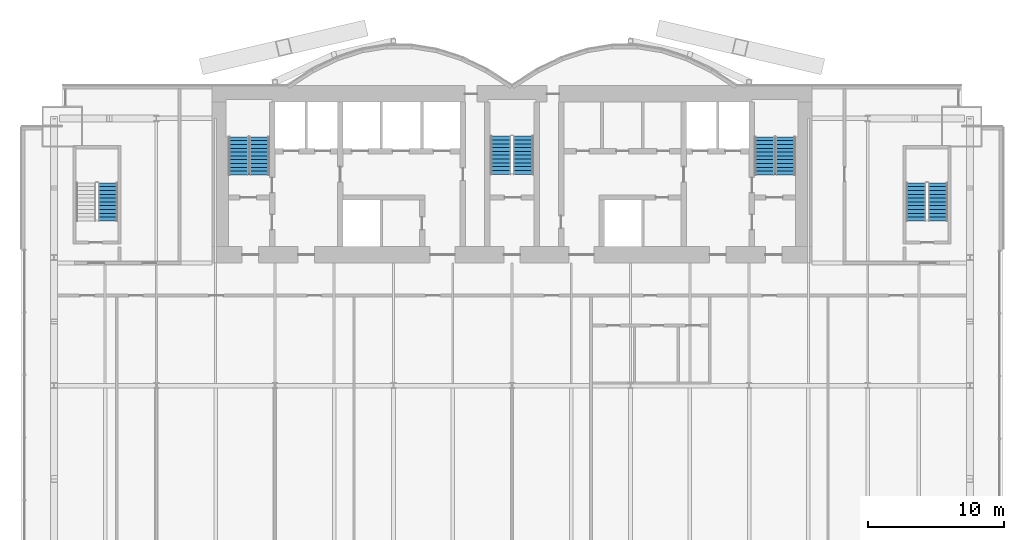
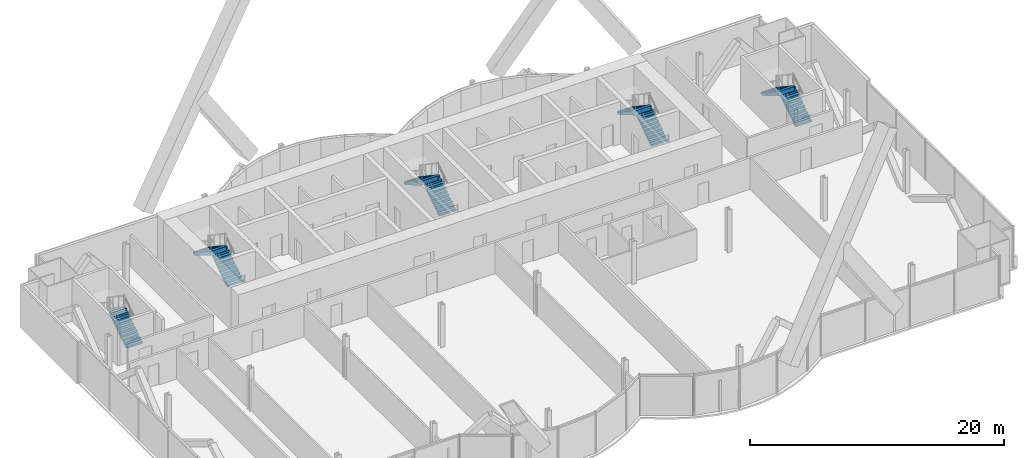
# One storey, part 19 of 22: 9 stair flights, 5 elements without a shape of their own.
"""IFC4 building model written with IfcOpenShell, lengths in metres."""

from ifc_helpers import new_model, si_unit, direction, frame, origin, place, context, subcontext, project, spatial, polyline, outline, extrude, material, type_object, element, aggregate, save


model = new_model("IFC4")

# Units and contexts
model_context = context("Model", 3, precision=1e-05, world=origin(), true_north=direction((0.0, 1.0)))
body_context = subcontext(model_context, "Body", "Model", "MODEL_VIEW")
ifc_project = project(units=[si_unit("LENGTHUNIT", "METRE"), si_unit("AREAUNIT", "SQUARE_METRE"), si_unit("VOLUMEUNIT", "CUBIC_METRE"), si_unit("PLANEANGLEUNIT", "RADIAN"), si_unit("MASSUNIT", "GRAM", prefix="KILO")], contexts=[model_context])

# Site, building, storey
site_placement = place(None, origin())
site = spatial("IfcSite", under=ifc_project, at=site_placement, CompositionType="ELEMENT")
building_placement = place(site_placement, origin())
building = spatial("IfcBuilding", under=site, at=building_placement, Name="Bicima Exchange Tower", CompositionType="ELEMENT")
storey_placement = place(building_placement, frame((0.0, 0.0, 102.199951171875)))
storey = spatial("IfcBuildingStorey", under=building, at=storey_placement, Name="L21", CompositionType="ELEMENT", Elevation=102.199951171875)

# Stair, stair flights
ifc_material = material(Name="Concrete C50/60", Category="concrete")
stair_type_1 = type_object("IfcStairType", Name="Exit stair", PredefinedType="HALF_TURN_STAIR", material=ifc_material)
stair_1_placement = place(storey_placement, origin())
stair_1 = element("IfcStair", 1, at=stair_1_placement, inside=storey, type_object=stair_type_1, Name="L21 West exit stair", PredefinedType="HALF_TURN_STAIR")
stair_flight_type_1 = type_object("IfcStairFlightType", Name="Stair flight RC", PredefinedType="STRAIGHT", material=ifc_material)
stair_flight_1_placement = place(storey_placement, frame((-18.52490234375, -6.550048828125, 0.0), z_axis=(0.0, 0.0, 1.0), x_axis=(0.0, 1.0, 0.0)))
stair_flight_1 = element("IfcStairFlight", 2, at=stair_flight_1_placement, type_object=stair_flight_type_1, Name="ST-W flight 1", NumberOfRisers=11, NumberOfTreads=10, PredefinedType="STRAIGHT", RiserHeight=0.186363636, TreadLength=0.28, context=body_context, shape_type="SweptSolid", body=[
    extrude(outline(polyline([(0.0, 0.0), (0.0, 0.186279296875), (0.280029296875, 0.186279296875), (0.280029296875, 0.372802734375), (0.56005859375, 0.372802734375), (0.56005859375, 0.55908203125), (0.840087890625, 0.55908203125), (0.840087890625, 0.745361328125), (1.1201171875, 0.745361328125), (1.1201171875, 0.931884765625), (1.39990234375, 0.931884765625), (1.39990234375, 1.1181640625), (1.679931640625, 1.1181640625), (1.679931640625, 1.304443359375), (1.9599609375, 1.304443359375), (1.9599609375, 1.490966796875), (2.239990234375, 1.490966796875), (2.239990234375, 1.67724609375), (2.52001953125, 1.67724609375), (2.52001953125, 1.863525390625), (2.800048828125, 1.863525390625), (2.800048828125, 2.050048828125), (2.800048828125, 1.68359375), (0.2705078125, 0.0), (0.0, 0.0)])), frame((0.0, 0.72509765625, 0.0), z_axis=(0.0, -1.0, 0.0), x_axis=(1.0, 0.0, 0.0)), (0.0, 0.0, 1.0), 1.449951171875),
])
stair_flight_2_placement = place(storey_placement, frame((-20.074951171875, -3.75, 2.050048828125), z_axis=(0.0, 0.0, 1.0), x_axis=(0.0, -1.0, 0.0)))
stair_flight_2 = element("IfcStairFlight", 3, at=stair_flight_2_placement, type_object=stair_flight_type_1, Name="ST-W flight 2", NumberOfRisers=11, NumberOfTreads=10, PredefinedType="STRAIGHT", RiserHeight=0.186363636, TreadLength=0.28, context=body_context, shape_type="SweptSolid", body=[
    extrude(outline(polyline([(0.0, 0.0), (0.0, 0.186279296875), (0.280029296875, 0.186279296875), (0.280029296875, 0.372802734375), (0.56005859375, 0.372802734375), (0.56005859375, 0.55908203125), (0.840087890625, 0.55908203125), (0.840087890625, 0.745361328125), (1.1201171875, 0.745361328125), (1.1201171875, 0.931884765625), (1.39990234375, 0.931884765625), (1.39990234375, 1.1181640625), (1.679931640625, 1.1181640625), (1.679931640625, 1.304443359375), (1.9599609375, 1.304443359375), (1.9599609375, 1.490966796875), (2.239990234375, 1.490966796875), (2.239990234375, 1.67724609375), (2.52001953125, 1.67724609375), (2.52001953125, 1.863525390625), (2.800048828125, 1.863525390625), (2.800048828125, 1.904052734375), (2.81494140625, 1.904052734375), (2.81494140625, 1.507080078125), (0.2705078125, 0.0), (0.0, 0.0)])), frame((0.0, 0.72509765625, 0.0), z_axis=(0.0, -1.0, 0.0), x_axis=(1.0, 0.0, 0.0)), (0.0, 0.0, 1.0), 1.449951171875),
])
aggregate(stair_1, [stair_flight_1, stair_flight_2])

stair_2_placement = place(storey_placement, origin())
stair_2 = element("IfcStair", 4, at=stair_2_placement, inside=storey, type_object=stair_type_1, Name="L21 East exit stair", PredefinedType="HALF_TURN_STAIR")
stair_flight_3_placement = place(storey_placement, frame((20.074951171875, -6.550048828125, 0.0), z_axis=(0.0, 0.0, 1.0), x_axis=(0.0, 1.0, 0.0)))
stair_flight_3 = element("IfcStairFlight", 5, at=stair_flight_3_placement, type_object=stair_flight_type_1, Name="ST-E flight 1", NumberOfRisers=11, NumberOfTreads=10, PredefinedType="STRAIGHT", RiserHeight=0.186363636, TreadLength=0.28, context=body_context, shape_type="SweptSolid", body=[
    extrude(outline(polyline([(0.0, 0.0), (0.0, 0.186279296875), (0.280029296875, 0.186279296875), (0.280029296875, 0.372802734375), (0.56005859375, 0.372802734375), (0.56005859375, 0.55908203125), (0.840087890625, 0.55908203125), (0.840087890625, 0.745361328125), (1.1201171875, 0.745361328125), (1.1201171875, 0.931884765625), (1.39990234375, 0.931884765625), (1.39990234375, 1.1181640625), (1.679931640625, 1.1181640625), (1.679931640625, 1.304443359375), (1.9599609375, 1.304443359375), (1.9599609375, 1.490966796875), (2.239990234375, 1.490966796875), (2.239990234375, 1.67724609375), (2.52001953125, 1.67724609375), (2.52001953125, 1.863525390625), (2.800048828125, 1.863525390625), (2.800048828125, 2.050048828125), (2.800048828125, 1.68359375), (0.2705078125, 0.0), (0.0, 0.0)])), frame((0.0, 0.72509765625, 0.0), z_axis=(0.0, -1.0, 0.0), x_axis=(1.0, 0.0, 0.0)), (0.0, 0.0, 1.0), 1.449951171875),
])
stair_flight_4_placement = place(storey_placement, frame((18.52490234375, -3.75, 2.050048828125), z_axis=(0.0, 0.0, 1.0), x_axis=(0.0, -1.0, 0.0)))
stair_flight_4 = element("IfcStairFlight", 6, at=stair_flight_4_placement, type_object=stair_flight_type_1, Name="ST-E flight 2", NumberOfRisers=11, NumberOfTreads=10, PredefinedType="STRAIGHT", RiserHeight=0.186363636, TreadLength=0.28, context=body_context, shape_type="SweptSolid", body=[
    extrude(outline(polyline([(0.0, 0.0), (0.0, 0.186279296875), (0.280029296875, 0.186279296875), (0.280029296875, 0.372802734375), (0.56005859375, 0.372802734375), (0.56005859375, 0.55908203125), (0.840087890625, 0.55908203125), (0.840087890625, 0.745361328125), (1.1201171875, 0.745361328125), (1.1201171875, 0.931884765625), (1.39990234375, 0.931884765625), (1.39990234375, 1.1181640625), (1.679931640625, 1.1181640625), (1.679931640625, 1.304443359375), (1.9599609375, 1.304443359375), (1.9599609375, 1.490966796875), (2.239990234375, 1.490966796875), (2.239990234375, 1.67724609375), (2.52001953125, 1.67724609375), (2.52001953125, 1.863525390625), (2.800048828125, 1.863525390625), (2.800048828125, 1.904052734375), (2.81494140625, 1.904052734375), (2.81494140625, 1.507080078125), (0.2705078125, 0.0), (0.0, 0.0)])), frame((0.0, 0.72509765625, 0.0), z_axis=(0.0, -1.0, 0.0), x_axis=(1.0, 0.0, 0.0)), (0.0, 0.0, 1.0), 1.449951171875),
])
aggregate(stair_2, [stair_flight_3, stair_flight_4])

# Stair, stair flight
stair_3_placement = place(storey_placement, origin())
stair_3 = element("IfcStair", 7, at=stair_3_placement, inside=storey, type_object=stair_type_1, Name="L21 West end exit stair", PredefinedType="HALF_TURN_STAIR")
stair_flight_5_placement = place(storey_placement, frame((-29.64990234375, -9.925048828125, 0.0), z_axis=(0.0, 0.0, 1.0), x_axis=(0.0, 1.0, 0.0)))
stair_flight_5 = element("IfcStairFlight", 8, at=stair_flight_5_placement, type_object=stair_flight_type_1, Name="ST-WW flight 1", NumberOfRisers=11, NumberOfTreads=10, PredefinedType="STRAIGHT", RiserHeight=0.186363636, TreadLength=0.28, context=body_context, shape_type="SweptSolid", body=[
    extrude(outline(polyline([(0.0, 0.0), (0.0, 0.186279296875), (0.280029296875, 0.186279296875), (0.280029296875, 0.372802734375), (0.56005859375, 0.372802734375), (0.56005859375, 0.55908203125), (0.840087890625, 0.55908203125), (0.840087890625, 0.745361328125), (1.1201171875, 0.745361328125), (1.1201171875, 0.931884765625), (1.39990234375, 0.931884765625), (1.39990234375, 1.1181640625), (1.679931640625, 1.1181640625), (1.679931640625, 1.304443359375), (1.9599609375, 1.304443359375), (1.9599609375, 1.490966796875), (2.239990234375, 1.490966796875), (2.239990234375, 1.67724609375), (2.52001953125, 1.67724609375), (2.52001953125, 1.863525390625), (2.800048828125, 1.863525390625), (2.800048828125, 2.050048828125), (2.800048828125, 1.68359375), (0.2705078125, 0.0), (0.0, 0.0)])), frame((0.0, 0.72509765625, 0.0), z_axis=(0.0, -1.0, 0.0), x_axis=(1.0, 0.0, 0.0)), (0.0, 0.0, 1.0), 1.449951171875),
])
aggregate(stair_3, [stair_flight_5])

# Stair, stair flights
stair_4_placement = place(storey_placement, origin())
stair_4 = element("IfcStair", 9, at=stair_4_placement, inside=storey, type_object=stair_type_1, Name="L21 East end exit stair", PredefinedType="HALF_TURN_STAIR")
stair_flight_6_placement = place(storey_placement, frame((31.25, -9.925048828125, 0.0), z_axis=(0.0, 0.0, 1.0), x_axis=(0.0, 1.0, 0.0)))
stair_flight_6 = element("IfcStairFlight", 10, at=stair_flight_6_placement, type_object=stair_flight_type_1, Name="ST-EE flight 1", NumberOfRisers=11, NumberOfTreads=10, PredefinedType="STRAIGHT", RiserHeight=0.186363636, TreadLength=0.28, context=body_context, shape_type="SweptSolid", body=[
    extrude(outline(polyline([(0.0, 0.0), (0.0, 0.186279296875), (0.280029296875, 0.186279296875), (0.280029296875, 0.372802734375), (0.56005859375, 0.372802734375), (0.56005859375, 0.55908203125), (0.840087890625, 0.55908203125), (0.840087890625, 0.745361328125), (1.1201171875, 0.745361328125), (1.1201171875, 0.931884765625), (1.39990234375, 0.931884765625), (1.39990234375, 1.1181640625), (1.679931640625, 1.1181640625), (1.679931640625, 1.304443359375), (1.9599609375, 1.304443359375), (1.9599609375, 1.490966796875), (2.239990234375, 1.490966796875), (2.239990234375, 1.67724609375), (2.52001953125, 1.67724609375), (2.52001953125, 1.863525390625), (2.800048828125, 1.863525390625), (2.800048828125, 2.050048828125), (2.800048828125, 1.68359375), (0.2705078125, 0.0), (0.0, 0.0)])), frame((0.0, 0.72509765625, 0.0), z_axis=(0.0, -1.0, 0.0), x_axis=(1.0, 0.0, 0.0)), (0.0, 0.0, 1.0), 1.449951171875),
])
stair_flight_7_placement = place(storey_placement, frame((29.64990234375, -7.125, 2.050048828125), z_axis=(0.0, 0.0, 1.0), x_axis=(0.0, -1.0, 0.0)))
stair_flight_7 = element("IfcStairFlight", 11, at=stair_flight_7_placement, type_object=stair_flight_type_1, Name="ST-EE flight 2", NumberOfRisers=11, NumberOfTreads=10, PredefinedType="STRAIGHT", RiserHeight=0.186363636, TreadLength=0.28, context=body_context, shape_type="SweptSolid", body=[
    extrude(outline(polyline([(0.0, 0.0), (0.0, 0.186279296875), (0.280029296875, 0.186279296875), (0.280029296875, 0.372802734375), (0.56005859375, 0.372802734375), (0.56005859375, 0.55908203125), (0.840087890625, 0.55908203125), (0.840087890625, 0.745361328125), (1.1201171875, 0.745361328125), (1.1201171875, 0.931884765625), (1.39990234375, 0.931884765625), (1.39990234375, 1.1181640625), (1.679931640625, 1.1181640625), (1.679931640625, 1.304443359375), (1.9599609375, 1.304443359375), (1.9599609375, 1.490966796875), (2.239990234375, 1.490966796875), (2.239990234375, 1.67724609375), (2.52001953125, 1.67724609375), (2.52001953125, 1.863525390625), (2.800048828125, 1.863525390625), (2.800048828125, 1.904052734375), (2.81494140625, 1.904052734375), (2.81494140625, 1.507080078125), (0.2705078125, 0.0), (0.0, 0.0)])), frame((0.0, 0.72509765625, 0.0), z_axis=(0.0, -1.0, 0.0), x_axis=(1.0, 0.0, 0.0)), (0.0, 0.0, 1.0), 1.449951171875),
])
aggregate(stair_4, [stair_flight_6, stair_flight_7])

stair_type_2 = type_object("IfcStairType", Name="Exit stair 1500", PredefinedType="HALF_TURN_STAIR", material=ifc_material)
stair_5_placement = place(storey_placement, origin())
stair_5 = element("IfcStair", 12, at=stair_5_placement, inside=storey, type_object=stair_type_2, Name="L21 Central exit stair", PredefinedType="HALF_TURN_STAIR")
stair_flight_type_2 = type_object("IfcStairFlightType", Name="Stair flight RC 1500", PredefinedType="STRAIGHT", material=ifc_material)
stair_flight_8_placement = place(storey_placement, frame((0.824951171875, -6.5, 0.0), z_axis=(0.0, 0.0, 1.0), x_axis=(0.0, 1.0, 0.0)))
stair_flight_8 = element("IfcStairFlight", 13, at=stair_flight_8_placement, type_object=stair_flight_type_2, Name="ST-C flight 1", NumberOfRisers=11, NumberOfTreads=10, PredefinedType="STRAIGHT", RiserHeight=0.186363636, TreadLength=0.28, context=body_context, shape_type="SweptSolid", body=[
    extrude(outline(polyline([(0.0, 0.0), (0.0, 0.186279296875), (0.280029296875, 0.186279296875), (0.280029296875, 0.372802734375), (0.56005859375, 0.372802734375), (0.56005859375, 0.55908203125), (0.840087890625, 0.55908203125), (0.840087890625, 0.745361328125), (1.1201171875, 0.745361328125), (1.1201171875, 0.931884765625), (1.39990234375, 0.931884765625), (1.39990234375, 1.1181640625), (1.679931640625, 1.1181640625), (1.679931640625, 1.304443359375), (1.9599609375, 1.304443359375), (1.9599609375, 1.490966796875), (2.239990234375, 1.490966796875), (2.239990234375, 1.67724609375), (2.52001953125, 1.67724609375), (2.52001953125, 1.863525390625), (2.800048828125, 1.863525390625), (2.800048828125, 2.050048828125), (2.800048828125, 1.68359375), (0.2705078125, 0.0), (0.0, 0.0)])), frame((0.0, 0.75, 0.0), z_axis=(0.0, -1.0, 0.0), x_axis=(1.0, 0.0, 0.0)), (0.0, 0.0, 1.0), 1.5),
])
stair_flight_9_placement = place(storey_placement, frame((-0.824951171875, -3.699951171875, 2.050048828125), z_axis=(0.0, 0.0, 1.0), x_axis=(0.0, -1.0, 0.0)))
stair_flight_9 = element("IfcStairFlight", 14, at=stair_flight_9_placement, type_object=stair_flight_type_2, Name="ST-C flight 2", NumberOfRisers=11, NumberOfTreads=10, PredefinedType="STRAIGHT", RiserHeight=0.186363636, TreadLength=0.28, context=body_context, shape_type="SweptSolid", body=[
    extrude(outline(polyline([(0.0, 0.0), (0.0, 0.186279296875), (0.280029296875, 0.186279296875), (0.280029296875, 0.372802734375), (0.56005859375, 0.372802734375), (0.56005859375, 0.55908203125), (0.840087890625, 0.55908203125), (0.840087890625, 0.745361328125), (1.1201171875, 0.745361328125), (1.1201171875, 0.931884765625), (1.39990234375, 0.931884765625), (1.39990234375, 1.1181640625), (1.679931640625, 1.1181640625), (1.679931640625, 1.304443359375), (1.9599609375, 1.304443359375), (1.9599609375, 1.490966796875), (2.239990234375, 1.490966796875), (2.239990234375, 1.67724609375), (2.52001953125, 1.67724609375), (2.52001953125, 1.863525390625), (2.800048828125, 1.863525390625), (2.800048828125, 1.904052734375), (2.81494140625, 1.904052734375), (2.81494140625, 1.507080078125), (0.2705078125, 0.0), (0.0, 0.0)])), frame((0.0, 0.75, 0.0), z_axis=(0.0, -1.0, 0.0), x_axis=(1.0, 0.0, 0.0)), (0.0, 0.0, 1.0), 1.5),
])
aggregate(stair_5, [stair_flight_8, stair_flight_9])

save(model, "model.ifc")
